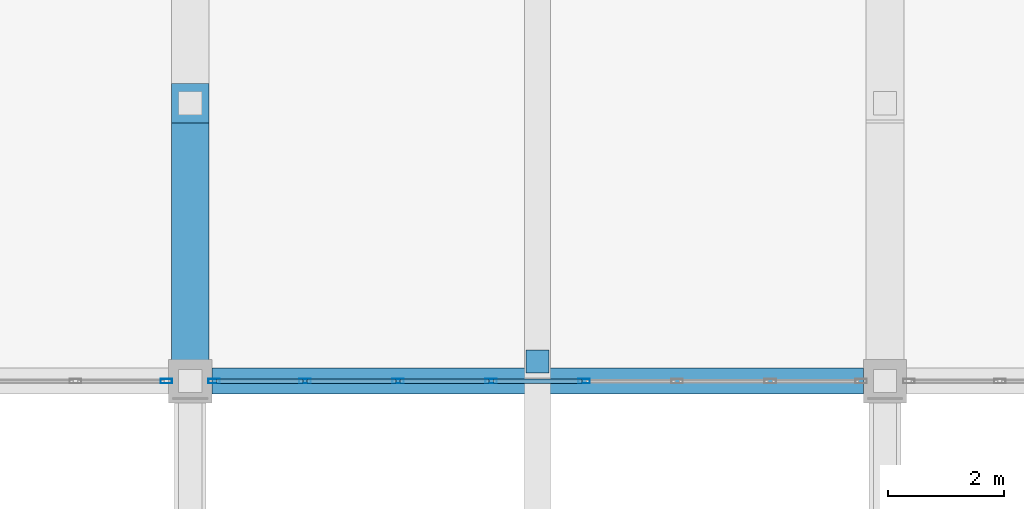
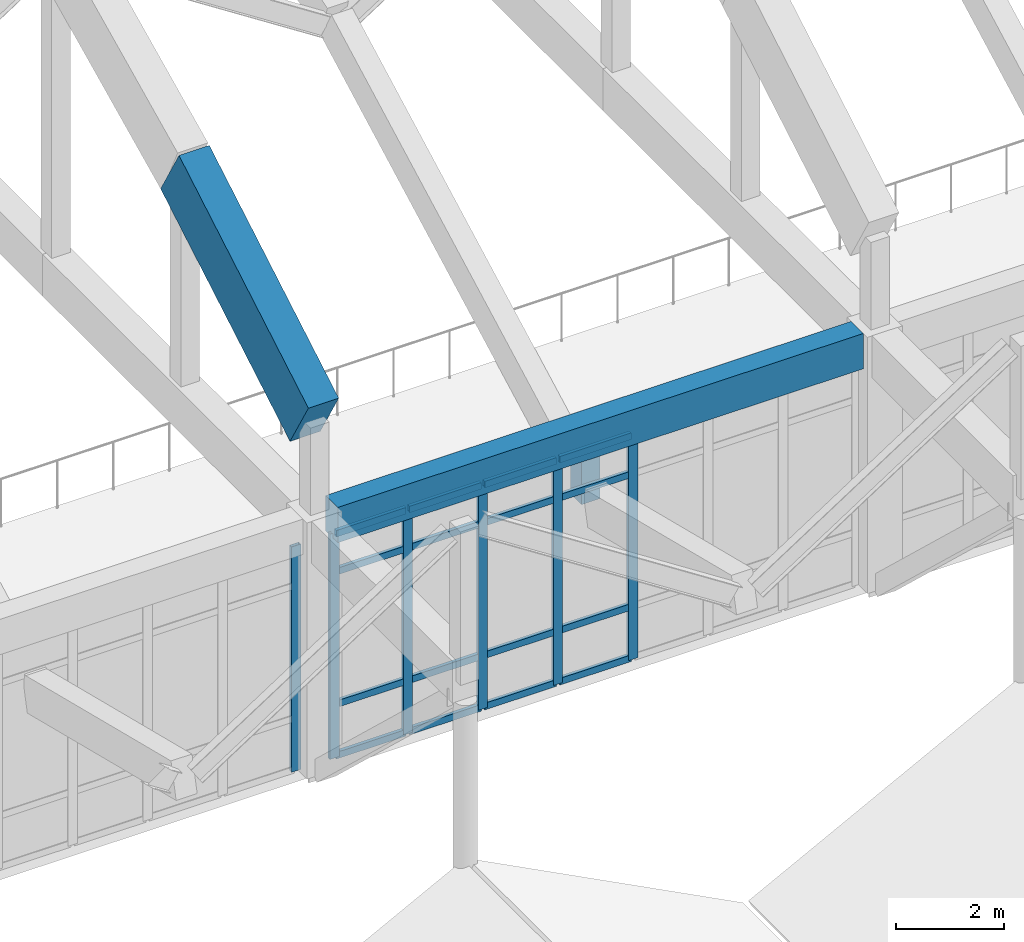
# One storey, part 55 of 236: 24 members, 1 beam, 2 elements without a shape of their own.
"""IFC4 building model written with IfcOpenShell, lengths in metres."""

from ifc_helpers import new_model, si_unit, direction, frame, origin, origin_2d, place, context, subcontext, project, spatial, rectangle, hollow_rectangle, extrude, material, layer, layer_set, material_profile, profile_set, type_object, element, aggregate, save


model = new_model("IFC4")

# Units and contexts
model_context = context("Model", 3, precision=1e-05, world=origin(), true_north=direction((0.0, 1.0)))
body_context = subcontext(model_context, "Body", "Model", "MODEL_VIEW")
ifc_project = project(units=[si_unit("LENGTHUNIT", "METRE"), si_unit("AREAUNIT", "SQUARE_METRE"), si_unit("VOLUMEUNIT", "CUBIC_METRE"), si_unit("PLANEANGLEUNIT", "RADIAN"), si_unit("MASSUNIT", "GRAM", prefix="KILO")], contexts=[model_context])

# Site, building, storey
site_placement = place(None, origin())
site = spatial("IfcSite", under=ifc_project, at=site_placement, CompositionType="ELEMENT")
building_placement = place(site_placement, origin())
building = spatial("IfcBuilding", under=site, at=building_placement, Name="Pandanus Reach Market Hall", CompositionType="ELEMENT")
storey_placement = place(building_placement, frame((0.0, 0.0, 5.39990234375)))
storey = spatial("IfcBuildingStorey", under=building, at=storey_placement, Name="L01", CompositionType="ELEMENT", Elevation=5.39990234375)

# Members
ifc_material_1 = material(Name="Concrete N50 (50 MPa)", Category="concrete")
ifc_material_profile_1 = material_profile(ifc_material_1, rectangle(XDim=0.64990234375, YDim=1.35009765625, at=origin_2d()), Name="RC650x1350", Category="LoadBearing")
ifc_profile_set_1 = profile_set([ifc_material_profile_1], Name="Concrete N50 (50 MPa)")
member_type_1 = type_object("IfcMemberType", Name="AR-RC650-E", PredefinedType="CHORD", material=ifc_profile_set_1)
member_1_placement = place(storey_placement, frame((96.0, 28.800048828125, 7.780029296875), z_axis=(0.0, 0.862897305689, 0.505379302935), x_axis=(-1.0, 0.0, 0.0)))
element("IfcMember", 1, at=member_1_placement, inside=storey, type_object=member_type_1, Name="Parabolic arch top chord A5.1", PredefinedType="CHORD", context=body_context, shape_type="SweptSolid", body=[
    extrude(rectangle(XDim=0.64990234375, YDim=1.35009765625, at=origin_2d()), origin(), (0.0, 0.0, 1.0), 5.562744140625),
])
ifc_material_profile_2 = material_profile(ifc_material_1, rectangle(XDim=0.39990234375, YDim=0.39990234375, at=origin_2d()), Name="RC400x400", Category="LoadBearing")
ifc_profile_set_2 = profile_set([ifc_material_profile_2], Name="Concrete N50 (50 MPa)")
member_type_2 = type_object("IfcMemberType", Name="AR-WEB400-E", PredefinedType="STRUT", material=ifc_profile_set_2)
member_2_placement = place(storey_placement, frame((102.0, 29.139892578125, 3.739990234375), z_axis=(0.0, 0.0, 1.0), x_axis=(1.0, 0.0, 0.0)))
element("IfcMember", 2, at=member_2_placement, inside=storey, type_object=member_type_2, Name="Butterfly south eave valley hanger B5S", PredefinedType="STRUT", context=body_context, shape_type="SweptSolid", body=[
    extrude(rectangle(XDim=0.39990234375, YDim=0.39990234375, at=origin_2d()), origin(), (0.0, 0.0, 1.0), 1.66015625),
])

# Beam
ifc_material_2 = material(Name="Concrete N40 (40 MPa)", Category="concrete")
ifc_material_profile_3 = material_profile(ifc_material_2, rectangle(XDim=0.449951171875, YDim=0.800048828125, at=origin_2d()), Name="RC450x800", Category="LoadBearing")
ifc_profile_set_3 = profile_set([ifc_material_profile_3], Name="Concrete N40 (40 MPa)")
beam_type = type_object("IfcBeamType", Name="BM-RC450-E", PredefinedType="SPANDREL", material=ifc_profile_set_3)
beam_placement = place(storey_placement, frame((96.373046875, 28.800048828125, 5.400146484375), z_axis=(1.0, 0.0, 0.0), x_axis=(0.0, 1.0, 0.0)))
element("IfcBeam", 3, at=beam_placement, inside=storey, type_object=beam_type, Name="Framing beam BM-RC450-E L01.1142", PredefinedType="SPANDREL", context=body_context, shape_type="SweptSolid", body=[
    extrude(rectangle(XDim=0.449951171875, YDim=0.800048828125, at=origin_2d()), origin(), (0.0, 0.0, 1.0), 11.25390625),
])

# Curtain wall, member
ifc_material_3 = material(Name="Bronze anodised aluminium and low-E glass", Category="aluminium")
ifc_layer = layer(ifc_material_3, 0.199951171875, Name="CW-02")
ifc_layer_set = layer_set([ifc_layer], Name="Bronze anodised aluminium and low-E glass")
curtain_wall_type = type_object("IfcCurtainWallType", Name="CW-02", PredefinedType="NOTDEFINED", material=ifc_layer_set)
curtain_wall_1_placement = place(storey_placement, origin())
curtain_wall_1 = element("IfcCurtainWall", 4, at=curtain_wall_1_placement, inside=storey, type_object=curtain_wall_type, Name="Glazed curtain wall CW-02 CW-0005", PredefinedType="NOTDEFINED")
ifc_material_4 = material(Name="Bronze anodised aluminium", Category="aluminium")
ifc_material_profile_4 = material_profile(ifc_material_4, hollow_rectangle(XDim=0.074951171875, YDim=0.199951171875, WallThickness=0.00439453125, at=origin_2d()), Name="ALU75x200", Category="LoadBearing")
ifc_profile_set_4 = profile_set([ifc_material_profile_4], Name="Bronze anodised aluminium")
member_type_3 = type_object("IfcMemberType", Name="CW-M2", PredefinedType="MULLION", material=ifc_profile_set_4)
member_3_placement = place(storey_placement, frame((95.58740234375, 28.800048828125, 0.0), z_axis=(0.0, 0.0, 1.0), x_axis=(0.0, 1.0, 0.0)))
member_3 = element("IfcMember", 5, at=member_3_placement, type_object=member_type_3, Name="CW-02 mullion 8", PredefinedType="MULLION", context=body_context, shape_type="SweptSolid", body=[
    extrude(hollow_rectangle(XDim=0.074951171875, YDim=0.199951171875, WallThickness=0.00439453125, at=origin_2d()), origin(), (0.0, 0.0, 1.0), 5.10009765625),
])
aggregate(curtain_wall_1, [member_3])

# Curtain wall, members
curtain_wall_2_placement = place(storey_placement, origin())
curtain_wall_2 = element("IfcCurtainWall", 6, at=curtain_wall_2_placement, inside=storey, type_object=curtain_wall_type, Name="Glazed curtain wall CW-02 CW-0006", PredefinedType="NOTDEFINED")
member_4_placement = place(storey_placement, frame((96.41259765625, 28.800048828125, 0.0), z_axis=(0.0, 0.0, 1.0), x_axis=(0.0, 1.0, 0.0)))
member_4 = element("IfcMember", 7, at=member_4_placement, type_object=member_type_3, Name="CW-02 mullion 1", PredefinedType="MULLION", context=body_context, shape_type="SweptSolid", body=[
    extrude(hollow_rectangle(XDim=0.074951171875, YDim=0.199951171875, WallThickness=0.00439453125, at=origin_2d()), origin(), (0.0, 0.0, 1.0), 5.10009765625),
])
member_5_placement = place(storey_placement, frame((97.982177734375, 28.800048828125, 0.0), z_axis=(0.0, 0.0, 1.0), x_axis=(0.0, 1.0, 0.0)))
member_5 = element("IfcMember", 8, at=member_5_placement, type_object=member_type_3, Name="CW-02 mullion 2", PredefinedType="MULLION", context=body_context, shape_type="SweptSolid", body=[
    extrude(hollow_rectangle(XDim=0.074951171875, YDim=0.199951171875, WallThickness=0.00439453125, at=origin_2d()), origin(), (0.0, 0.0, 1.0), 5.10009765625),
])
member_6_placement = place(storey_placement, frame((99.58935546875, 28.800048828125, 0.0), z_axis=(0.0, 0.0, 1.0), x_axis=(0.0, 1.0, 0.0)))
member_6 = element("IfcMember", 9, at=member_6_placement, type_object=member_type_3, Name="CW-02 mullion 3", PredefinedType="MULLION", context=body_context, shape_type="SweptSolid", body=[
    extrude(hollow_rectangle(XDim=0.074951171875, YDim=0.199951171875, WallThickness=0.00439453125, at=origin_2d()), origin(), (0.0, 0.0, 1.0), 5.10009765625),
])
member_7_placement = place(storey_placement, frame((101.196533203125, 28.800048828125, 0.0), z_axis=(0.0, 0.0, 1.0), x_axis=(0.0, 1.0, 0.0)))
member_7 = element("IfcMember", 10, at=member_7_placement, type_object=member_type_3, Name="CW-02 mullion 4", PredefinedType="MULLION", context=body_context, shape_type="SweptSolid", body=[
    extrude(hollow_rectangle(XDim=0.074951171875, YDim=0.199951171875, WallThickness=0.00439453125, at=origin_2d()), origin(), (0.0, 0.0, 1.0), 5.10009765625),
])
member_8_placement = place(storey_placement, frame((102.803466796875, 28.800048828125, 0.0), z_axis=(0.0, 0.0, 1.0), x_axis=(0.0, 1.0, 0.0)))
member_8 = element("IfcMember", 11, at=member_8_placement, type_object=member_type_3, Name="CW-02 mullion 5", PredefinedType="MULLION", context=body_context, shape_type="SweptSolid", body=[
    extrude(hollow_rectangle(XDim=0.074951171875, YDim=0.199951171875, WallThickness=0.00439453125, at=origin_2d()), origin(), (0.0, 0.0, 1.0), 5.10009765625),
])
ifc_material_profile_5 = material_profile(ifc_material_4, hollow_rectangle(XDim=0.074951171875, YDim=0.14990234375, WallThickness=0.00439453125, at=origin_2d()), Name="ALU75x150", Category="LoadBearing")
ifc_profile_set_5 = profile_set([ifc_material_profile_5], Name="Bronze anodised aluminium")
member_type_4 = type_object("IfcMemberType", Name="CW-T2", PredefinedType="USERDEFINED", material=ifc_profile_set_5)
member_9_placement = place(storey_placement, frame((96.449951171875, 28.800048828125, 0.03759765625), z_axis=(1.0, 0.0, 0.0), x_axis=(0.0, 1.0, 0.0)))
member_9 = element("IfcMember", 12, at=member_9_placement, type_object=member_type_4, Name="CW-02 transom 1.1", ObjectType="TRANSOM", PredefinedType="USERDEFINED", context=body_context, shape_type="SweptSolid", body=[
    extrude(hollow_rectangle(XDim=0.074951171875, YDim=0.14990234375, WallThickness=0.00439453125, at=origin_2d()), origin(), (0.0, 0.0, 1.0), 1.49462890625),
])
member_10_placement = place(storey_placement, frame((96.449951171875, 28.800048828125, 1.2001953125), z_axis=(1.0, 0.0, 0.0), x_axis=(0.0, 1.0, 0.0)))
member_10 = element("IfcMember", 13, at=member_10_placement, type_object=member_type_4, Name="CW-02 transom 1.2", ObjectType="TRANSOM", PredefinedType="USERDEFINED", context=body_context, shape_type="SweptSolid", body=[
    extrude(hollow_rectangle(XDim=0.074951171875, YDim=0.14990234375, WallThickness=0.00439453125, at=origin_2d()), origin(), (0.0, 0.0, 1.0), 1.49462890625),
])
member_11_placement = place(storey_placement, frame((96.449951171875, 28.800048828125, 4.2001953125), z_axis=(1.0, 0.0, 0.0), x_axis=(0.0, 1.0, 0.0)))
member_11 = element("IfcMember", 14, at=member_11_placement, type_object=member_type_4, Name="CW-02 transom 1.3", ObjectType="TRANSOM", PredefinedType="USERDEFINED", context=body_context, shape_type="SweptSolid", body=[
    extrude(hollow_rectangle(XDim=0.074951171875, YDim=0.14990234375, WallThickness=0.00439453125, at=origin_2d()), origin(), (0.0, 0.0, 1.0), 1.49462890625),
])
member_12_placement = place(storey_placement, frame((96.449951171875, 28.800048828125, 5.0625), z_axis=(1.0, 0.0, 0.0), x_axis=(0.0, 1.0, 0.0)))
member_12 = element("IfcMember", 15, at=member_12_placement, type_object=member_type_4, Name="CW-02 transom 1.4", ObjectType="TRANSOM", PredefinedType="USERDEFINED", context=body_context, shape_type="SweptSolid", body=[
    extrude(hollow_rectangle(XDim=0.074951171875, YDim=0.14990234375, WallThickness=0.00439453125, at=origin_2d()), origin(), (0.0, 0.0, 1.0), 1.49462890625),
])
member_13_placement = place(storey_placement, frame((98.01953125, 28.800048828125, 0.03759765625), z_axis=(1.0, 0.0, 0.0), x_axis=(0.0, 1.0, 0.0)))
member_13 = element("IfcMember", 16, at=member_13_placement, type_object=member_type_4, Name="CW-02 transom 2.1", ObjectType="TRANSOM", PredefinedType="USERDEFINED", context=body_context, shape_type="SweptSolid", body=[
    extrude(hollow_rectangle(XDim=0.074951171875, YDim=0.14990234375, WallThickness=0.00439453125, at=origin_2d()), origin(), (0.0, 0.0, 1.0), 1.5322265625),
])
member_14_placement = place(storey_placement, frame((98.01953125, 28.800048828125, 1.2001953125), z_axis=(1.0, 0.0, 0.0), x_axis=(0.0, 1.0, 0.0)))
member_14 = element("IfcMember", 17, at=member_14_placement, type_object=member_type_4, Name="CW-02 transom 2.2", ObjectType="TRANSOM", PredefinedType="USERDEFINED", context=body_context, shape_type="SweptSolid", body=[
    extrude(hollow_rectangle(XDim=0.074951171875, YDim=0.14990234375, WallThickness=0.00439453125, at=origin_2d()), origin(), (0.0, 0.0, 1.0), 1.5322265625),
])
member_15_placement = place(storey_placement, frame((98.01953125, 28.800048828125, 4.2001953125), z_axis=(1.0, 0.0, 0.0), x_axis=(0.0, 1.0, 0.0)))
member_15 = element("IfcMember", 18, at=member_15_placement, type_object=member_type_4, Name="CW-02 transom 2.3", ObjectType="TRANSOM", PredefinedType="USERDEFINED", context=body_context, shape_type="SweptSolid", body=[
    extrude(hollow_rectangle(XDim=0.074951171875, YDim=0.14990234375, WallThickness=0.00439453125, at=origin_2d()), origin(), (0.0, 0.0, 1.0), 1.5322265625),
])
member_16_placement = place(storey_placement, frame((98.01953125, 28.800048828125, 5.0625), z_axis=(1.0, 0.0, 0.0), x_axis=(0.0, 1.0, 0.0)))
member_16 = element("IfcMember", 19, at=member_16_placement, type_object=member_type_4, Name="CW-02 transom 2.4", ObjectType="TRANSOM", PredefinedType="USERDEFINED", context=body_context, shape_type="SweptSolid", body=[
    extrude(hollow_rectangle(XDim=0.074951171875, YDim=0.14990234375, WallThickness=0.00439453125, at=origin_2d()), origin(), (0.0, 0.0, 1.0), 1.5322265625),
])
member_17_placement = place(storey_placement, frame((99.626708984375, 28.800048828125, 0.03759765625), z_axis=(1.0, 0.0, 0.0), x_axis=(0.0, 1.0, 0.0)))
member_17 = element("IfcMember", 20, at=member_17_placement, type_object=member_type_4, Name="CW-02 transom 3.1", ObjectType="TRANSOM", PredefinedType="USERDEFINED", context=body_context, shape_type="SweptSolid", body=[
    extrude(hollow_rectangle(XDim=0.074951171875, YDim=0.14990234375, WallThickness=0.00439453125, at=origin_2d()), origin(), (0.0, 0.0, 1.0), 1.5322265625),
])
member_18_placement = place(storey_placement, frame((99.626708984375, 28.800048828125, 1.2001953125), z_axis=(1.0, 0.0, 0.0), x_axis=(0.0, 1.0, 0.0)))
member_18 = element("IfcMember", 21, at=member_18_placement, type_object=member_type_4, Name="CW-02 transom 3.2", ObjectType="TRANSOM", PredefinedType="USERDEFINED", context=body_context, shape_type="SweptSolid", body=[
    extrude(hollow_rectangle(XDim=0.074951171875, YDim=0.14990234375, WallThickness=0.00439453125, at=origin_2d()), origin(), (0.0, 0.0, 1.0), 1.5322265625),
])
member_19_placement = place(storey_placement, frame((99.626708984375, 28.800048828125, 4.2001953125), z_axis=(1.0, 0.0, 0.0), x_axis=(0.0, 1.0, 0.0)))
member_19 = element("IfcMember", 22, at=member_19_placement, type_object=member_type_4, Name="CW-02 transom 3.3", ObjectType="TRANSOM", PredefinedType="USERDEFINED", context=body_context, shape_type="SweptSolid", body=[
    extrude(hollow_rectangle(XDim=0.074951171875, YDim=0.14990234375, WallThickness=0.00439453125, at=origin_2d()), origin(), (0.0, 0.0, 1.0), 1.5322265625),
])
member_20_placement = place(storey_placement, frame((99.626708984375, 28.800048828125, 5.0625), z_axis=(1.0, 0.0, 0.0), x_axis=(0.0, 1.0, 0.0)))
member_20 = element("IfcMember", 23, at=member_20_placement, type_object=member_type_4, Name="CW-02 transom 3.4", ObjectType="TRANSOM", PredefinedType="USERDEFINED", context=body_context, shape_type="SweptSolid", body=[
    extrude(hollow_rectangle(XDim=0.074951171875, YDim=0.14990234375, WallThickness=0.00439453125, at=origin_2d()), origin(), (0.0, 0.0, 1.0), 1.5322265625),
])
member_21_placement = place(storey_placement, frame((101.23388671875, 28.800048828125, 0.03759765625), z_axis=(1.0, 0.0, 0.0), x_axis=(0.0, 1.0, 0.0)))
member_21 = element("IfcMember", 24, at=member_21_placement, type_object=member_type_4, Name="CW-02 transom 4.1", ObjectType="TRANSOM", PredefinedType="USERDEFINED", context=body_context, shape_type="SweptSolid", body=[
    extrude(hollow_rectangle(XDim=0.074951171875, YDim=0.14990234375, WallThickness=0.00439453125, at=origin_2d()), origin(), (0.0, 0.0, 1.0), 1.5322265625),
])
member_22_placement = place(storey_placement, frame((101.23388671875, 28.800048828125, 1.2001953125), z_axis=(1.0, 0.0, 0.0), x_axis=(0.0, 1.0, 0.0)))
member_22 = element("IfcMember", 25, at=member_22_placement, type_object=member_type_4, Name="CW-02 transom 4.2", ObjectType="TRANSOM", PredefinedType="USERDEFINED", context=body_context, shape_type="SweptSolid", body=[
    extrude(hollow_rectangle(XDim=0.074951171875, YDim=0.14990234375, WallThickness=0.00439453125, at=origin_2d()), origin(), (0.0, 0.0, 1.0), 1.5322265625),
])
member_23_placement = place(storey_placement, frame((101.23388671875, 28.800048828125, 4.2001953125), z_axis=(1.0, 0.0, 0.0), x_axis=(0.0, 1.0, 0.0)))
member_23 = element("IfcMember", 26, at=member_23_placement, type_object=member_type_4, Name="CW-02 transom 4.3", ObjectType="TRANSOM", PredefinedType="USERDEFINED", context=body_context, shape_type="SweptSolid", body=[
    extrude(hollow_rectangle(XDim=0.074951171875, YDim=0.14990234375, WallThickness=0.00439453125, at=origin_2d()), origin(), (0.0, 0.0, 1.0), 1.5322265625),
])
member_24_placement = place(storey_placement, frame((101.23388671875, 28.800048828125, 5.0625), z_axis=(1.0, 0.0, 0.0), x_axis=(0.0, 1.0, 0.0)))
member_24 = element("IfcMember", 27, at=member_24_placement, type_object=member_type_4, Name="CW-02 transom 4.4", ObjectType="TRANSOM", PredefinedType="USERDEFINED", context=body_context, shape_type="SweptSolid", body=[
    extrude(hollow_rectangle(XDim=0.074951171875, YDim=0.14990234375, WallThickness=0.00439453125, at=origin_2d()), origin(), (0.0, 0.0, 1.0), 1.5322265625),
])
aggregate(curtain_wall_2, [member_4, member_5, member_6, member_7, member_8, member_9, member_10, member_11, member_12, member_13, member_14, member_15, member_16, member_17, member_18, member_19, member_20, member_21, member_22, member_23, member_24])

save(model, "model.ifc")
